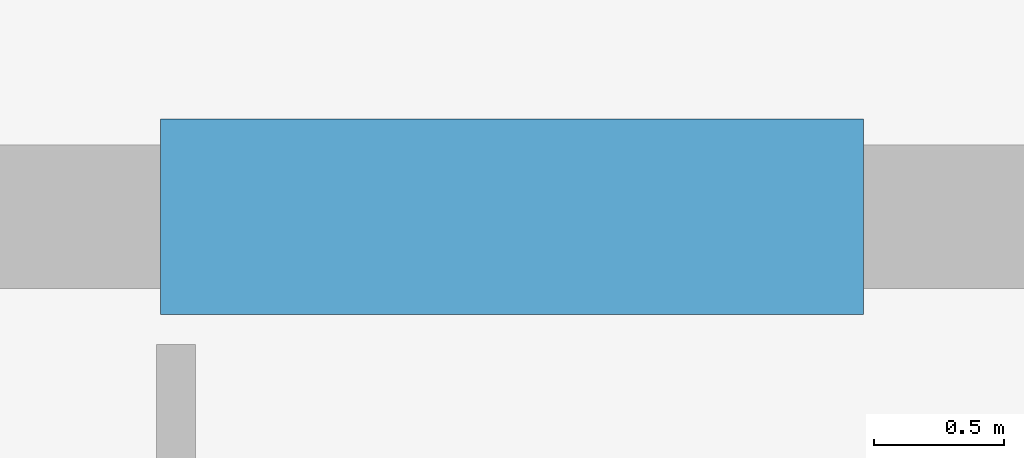
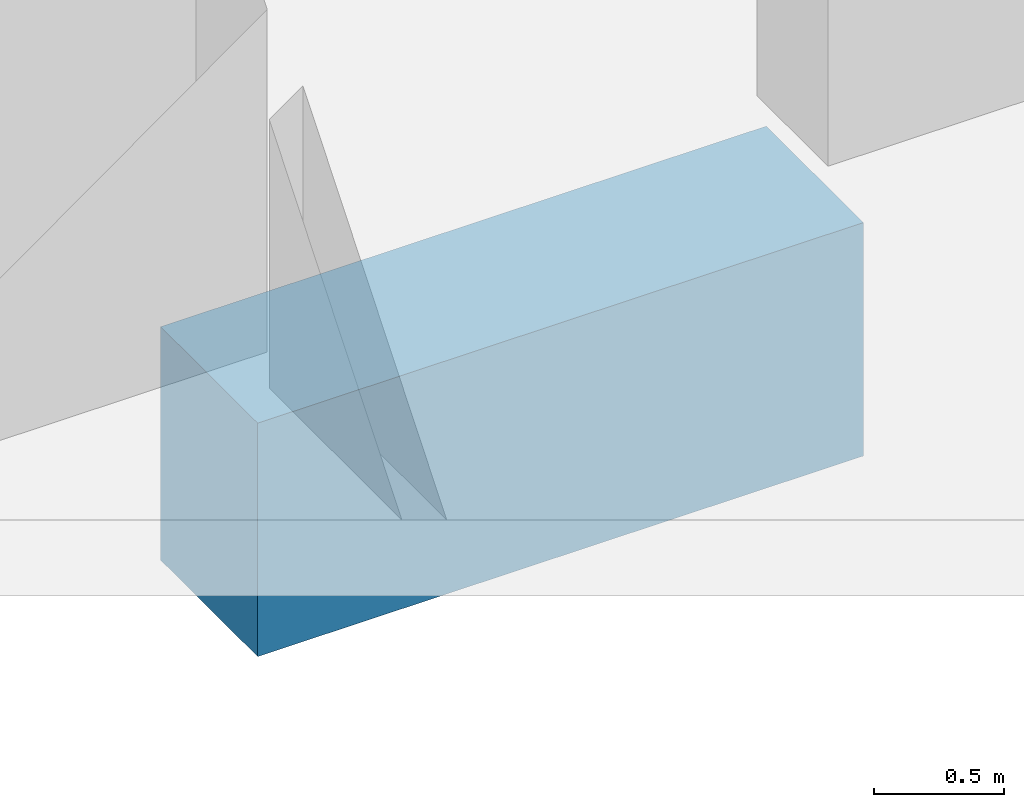
# One storey, part 7 of 26: 1 beam.
"""IFC4 building model written with IfcOpenShell, lengths in metres."""

import ifcopenshell
import ifcopenshell.guid

model = None  # the IFC model being written
_history = None  # IfcOwnerHistory: only IFC2X3 demands one
_inside = {}  # id of a spatial element -> (the spatial element, [elements in it])
_under = {}  # id of a project, library or spatial element -> (it, [spatial elements below it])
_declared = {}  # id of a project -> (the project, [libraries it declares])
_typed = {}  # id of a type object -> (the type object, [elements of that type])
_made_of = {}  # id of a material, layer set ... -> (it, [elements and type objects made of it])


def new_model(schema):
    """Start an empty IFC model of exactly this schema.

    Asked for "IFC4X3", IfcOpenShell would pick the latest addendum, in which some entities
    have other attributes; the version numbers below select the first issue.
    IFC2X3 requires an IfcOwnerHistory on every rooted entity: one is made here for all.
    """
    global model, _history
    if schema == "IFC4X3":
        model = ifcopenshell.file(schema_version=(4, 3, 0, 0))
    else:
        model = ifcopenshell.file(schema=schema)
    _inside.clear()
    _under.clear()
    _declared.clear()
    _typed.clear()
    _made_of.clear()
    _history = None
    if model.schema == "IFC2X3":
        org = make("IfcOrganization", Name="unknown")
        user = make(
            "IfcPersonAndOrganization",
            ThePerson=make("IfcPerson", FamilyName="unknown"),
            TheOrganization=org,
        )
        app = make(
            "IfcApplication",
            ApplicationDeveloper=org,
            Version="unknown",
            ApplicationFullName="unknown",
            ApplicationIdentifier="unknown",
        )
        _history = make(
            "IfcOwnerHistory",
            OwningUser=user,
            OwningApplication=app,
            ChangeAction="ADDED",
            CreationDate=0,
        )
    return model


def make(cls, **values):
    """One entity of the class cls with the attributes given. An attribute that is None is left unset."""
    return model.create_entity(
        cls, **{name: value for name, value in values.items() if value is not None}
    )


def rooted(cls, **values):
    """An entity with a GlobalId (a new one), such as an element, a storey or a relation."""
    return make(cls, GlobalId=ifcopenshell.guid.new(), OwnerHistory=_history, **values)


def si_unit(unit_type, name, prefix=None):
    """IfcSIUnit, for example si_unit("LENGTHUNIT", "METRE", prefix="MILLI")."""
    return make("IfcSIUnit", UnitType=unit_type, Prefix=prefix, Name=name)


def assignment(units):
    """IfcUnitAssignment: the units of a project."""
    return None if units is None else make("IfcUnitAssignment", Units=units)


def point(xyz):
    """IfcCartesianPoint."""
    return None if xyz is None else make("IfcCartesianPoint", Coordinates=xyz)


def direction(xyz):
    """IfcDirection."""
    return None if xyz is None else make("IfcDirection", DirectionRatios=xyz)


def frame(location, z_axis=None, x_axis=None):
    """IfcAxis2Placement3D, a coordinate frame: its origin and axes. An axis left out is left unset."""
    return make(
        "IfcAxis2Placement3D",
        Location=point(location),
        Axis=direction(z_axis),
        RefDirection=direction(x_axis),
    )


def frame_2d(location, x_axis=None):
    """IfcAxis2Placement2D, a coordinate frame in the plane: its origin and x axis."""
    return make(
        "IfcAxis2Placement2D", Location=point(location), RefDirection=direction(x_axis)
    )


def origin():
    """The frame at (0, 0, 0) with its axes left unset."""
    return frame((0.0, 0.0, 0.0))


def origin_2d():
    """The frame at (0, 0) in the plane with its x axis left unset."""
    return frame_2d((0.0, 0.0))


def place(relative_to, where):
    """IfcLocalPlacement: puts the frame where relative to a parent placement (None: the world)."""
    return make(
        "IfcLocalPlacement", PlacementRelTo=relative_to, RelativePlacement=where
    )


def context(
    kind, dimensions, precision=None, world=None, true_north=None, identifier=None
):
    """IfcGeometricRepresentationContext, for example the 3D "Model" context."""
    return make(
        "IfcGeometricRepresentationContext",
        ContextIdentifier=identifier,
        ContextType=kind,
        CoordinateSpaceDimension=dimensions,
        Precision=precision,
        WorldCoordinateSystem=world,
        TrueNorth=true_north,
    )


def subcontext(parent, identifier, kind, view, scale=None):
    """IfcGeometricRepresentationSubContext, for example "Body" below "Model"."""
    return make(
        "IfcGeometricRepresentationSubContext",
        ContextIdentifier=identifier,
        ContextType=kind,
        ParentContext=parent,
        TargetScale=scale,
        TargetView=view,
    )


def project(units=None, contexts=None):
    """IfcProject with its units and contexts."""
    return rooted(
        "IfcProject",
        Name="project",
        RepresentationContexts=contexts,
        UnitsInContext=assignment(units),
    )


def spatial(cls, under=None, at=None, **own):
    """A site, building, storey or space (cls), placed at a placement, below another one or the project."""
    s = rooted(cls, ObjectPlacement=at, **own)
    if under is not None:
        _under.setdefault(under.id(), (under, []))[1].append(s)
    return s


def profile(cls, at=None, kind="AREA", **sizes):
    """A parametric profile (cls). Its sizes go by their IFC names, for example OverallWidth=200.0."""
    return make(cls, ProfileType=kind, Position=at, **sizes)


def rectangle(**sizes):
    """IfcRectangleProfileDef."""
    return profile("IfcRectangleProfileDef", **sizes)


def extrude(swept, where, along, depth):
    """IfcExtrudedAreaSolid: the profile swept, set in the frame where, extruded along a direction by depth."""
    return make(
        "IfcExtrudedAreaSolid",
        SweptArea=swept,
        Position=where,
        ExtrudedDirection=direction(along),
        Depth=depth,
    )


def shape(context_of_items, identifier, shape_type, items):
    """IfcShapeRepresentation: the items that make up one representation, for example the "Body"."""
    return make(
        "IfcShapeRepresentation",
        ContextOfItems=context_of_items,
        RepresentationIdentifier=identifier,
        RepresentationType=shape_type,
        Items=items,
    )


def material(Name=None, Category=None):
    """IfcMaterial."""
    return make("IfcMaterial", Name=Name, Category=Category)


def material_profile(
    of_material, cross_section, Name=None, Category=None, Priority=None
):
    """IfcMaterialProfile: a cross section and its material."""
    return make(
        "IfcMaterialProfile",
        Name=Name,
        Material=of_material,
        Profile=cross_section,
        Priority=Priority,
        Category=Category,
    )


def profile_set(profiles, Name=None, composite=None):
    """IfcMaterialProfileSet."""
    return make(
        "IfcMaterialProfileSet",
        Name=Name,
        MaterialProfiles=profiles,
        CompositeProfile=composite,
    )


def made_of(thing, what):
    """Note that an element or type object is made of a material, layer set ...; save() writes the relation."""
    if what is not None:
        _made_of.setdefault(what.id(), (what, []))[1].append(thing)
    return thing


def type_object(cls, material=None, **own):
    """A type object (cls), such as IfcWallType, which elements share."""
    return made_of(rooted(cls, **own), material)


def element(
    cls,
    number,
    at=None,
    inside=None,
    cuts=None,
    type_object=None,
    material=None,
    context=None,
    identifier="Body",
    shape_type=None,
    held_by="IfcProductDefinitionShape",
    body=None,
    shapes=None,
    **own,
):
    """One element of the class cls, such as IfcWall. Its Tag is "e" and its number.

    at: its placement. inside: the storey or other place that contains it. cuts: it is an
    opening in that element (IfcRelVoidsElement). A single representation is given by context,
    identifier, shape_type and body (its items); several are given by shapes. held_by: the class
    of the entity that holds the representations. save() writes the other relations.
    """
    e = rooted(cls, Tag="e%d" % number, ObjectPlacement=at, **own)
    if body is not None:
        shapes = [shape(context, identifier, shape_type, body)]
    if shapes is not None:
        e.Representation = make(held_by, Representations=shapes)
    if inside is not None:
        _inside.setdefault(inside.id(), (inside, []))[1].append(e)
    if cuts is not None:
        rooted(
            "IfcRelVoidsElement", RelatingBuildingElement=cuts, RelatedOpeningElement=e
        )
    if type_object is not None:
        _typed.setdefault(type_object.id(), (type_object, []))[1].append(e)
    return made_of(e, material)


def aggregate(whole, parts):
    """IfcRelAggregates: a whole, such as a stair, and the parts it consists of."""
    return rooted("IfcRelAggregates", RelatingObject=whole, RelatedObjects=parts)


def save(model, path):
    """Write the relations noted so far, then the file.

    IfcRelAggregates (storeys below a building ...), IfcRelContainedInSpatialStructure (elements
    in a storey), IfcRelDefinesByType, IfcRelAssociatesMaterial and IfcRelDeclares: one each for
    every whole, place, type object, material and project.
    """
    for whole, parts in _under.values():
        aggregate(whole, parts)
    for where, things in _inside.values():
        rooted(
            "IfcRelContainedInSpatialStructure",
            RelatedElements=things,
            RelatingStructure=where,
        )
    for kind, things in _typed.values():
        rooted("IfcRelDefinesByType", RelatedObjects=things, RelatingType=kind)
    for what, things in _made_of.values():
        rooted("IfcRelAssociatesMaterial", RelatedObjects=things, RelatingMaterial=what)
    for by, libraries in _declared.values():
        rooted("IfcRelDeclares", RelatingContext=by, RelatedDefinitions=libraries)
    model.write(path)


model = new_model("IFC4")

# Units and contexts
model_context = context("Model", 3, precision=1e-05, world=origin(), true_north=direction((0.0, 1.0)))
body_context = subcontext(model_context, "Body", "Model", "MODEL_VIEW")
ifc_project = project(units=[si_unit("LENGTHUNIT", "METRE"), si_unit("AREAUNIT", "SQUARE_METRE"), si_unit("VOLUMEUNIT", "CUBIC_METRE"), si_unit("PLANEANGLEUNIT", "RADIAN"), si_unit("MASSUNIT", "GRAM", prefix="KILO")], contexts=[model_context])

# Site, building, storey
site_placement = place(None, origin())
site = spatial("IfcSite", under=ifc_project, at=site_placement, CompositionType="ELEMENT")
building_placement = place(site_placement, origin())
building = spatial("IfcBuilding", under=site, at=building_placement, Name="Zuhayl Quay Hotel", CompositionType="ELEMENT")
storey_placement = place(building_placement, frame((0.0, 0.0, 301.050048828125)))
storey = spatial("IfcBuildingStorey", under=building, at=storey_placement, Name="Crown 2", CompositionType="ELEMENT", Elevation=301.050048828125)

# Beam
ifc_material = material(Name="Concrete C60/75", Category="concrete")
ifc_material_profile = material_profile(ifc_material, rectangle(XDim=0.75, YDim=1.10009765625, at=origin_2d()), Name="RC750X1100")
ifc_profile_set = profile_set([ifc_material_profile], Name="Concrete C60/75")
beam_type = type_object("IfcBeamType", Name="BM_CB2_RC750", PredefinedType="T_BEAM", material=ifc_profile_set)
beam_placement = place(storey_placement, frame((-1.35009765625, 13.35009765625, -0.7900390625), z_axis=(1.0, 0.0, 0.0), x_axis=(0.0, 1.0, 0.0)))
element("IfcBeam", 1, at=beam_placement, inside=storey, type_object=beam_type, Name="Crown 2 Core Coupling Beam North", PredefinedType="T_BEAM", context=body_context, shape_type="SweptSolid", body=[
    extrude(rectangle(XDim=0.75, YDim=1.10009765625, at=origin_2d()), origin(), (0.0, 0.0, 1.0), 2.7001953125),
])

save(model, "model.ifc")
